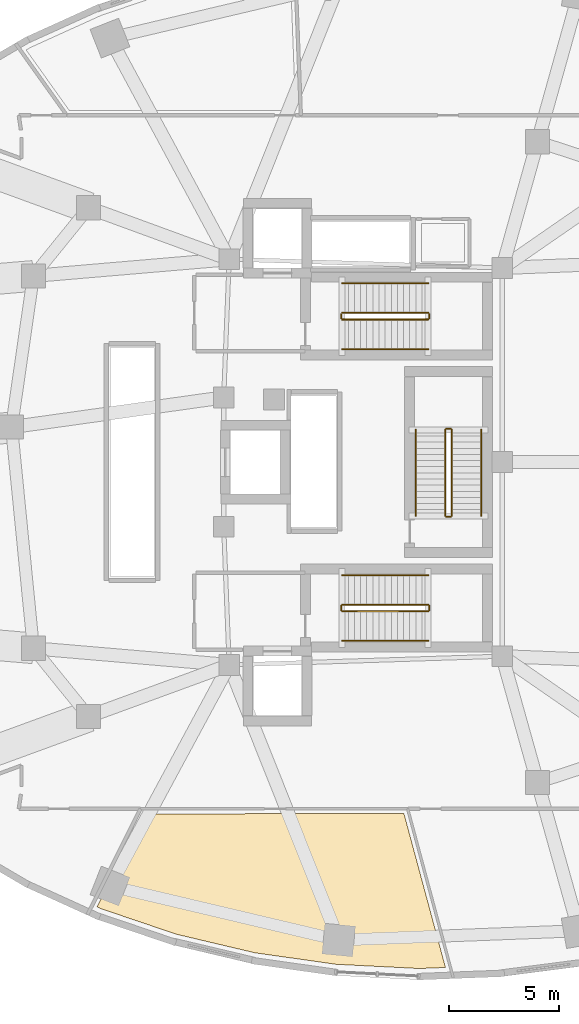
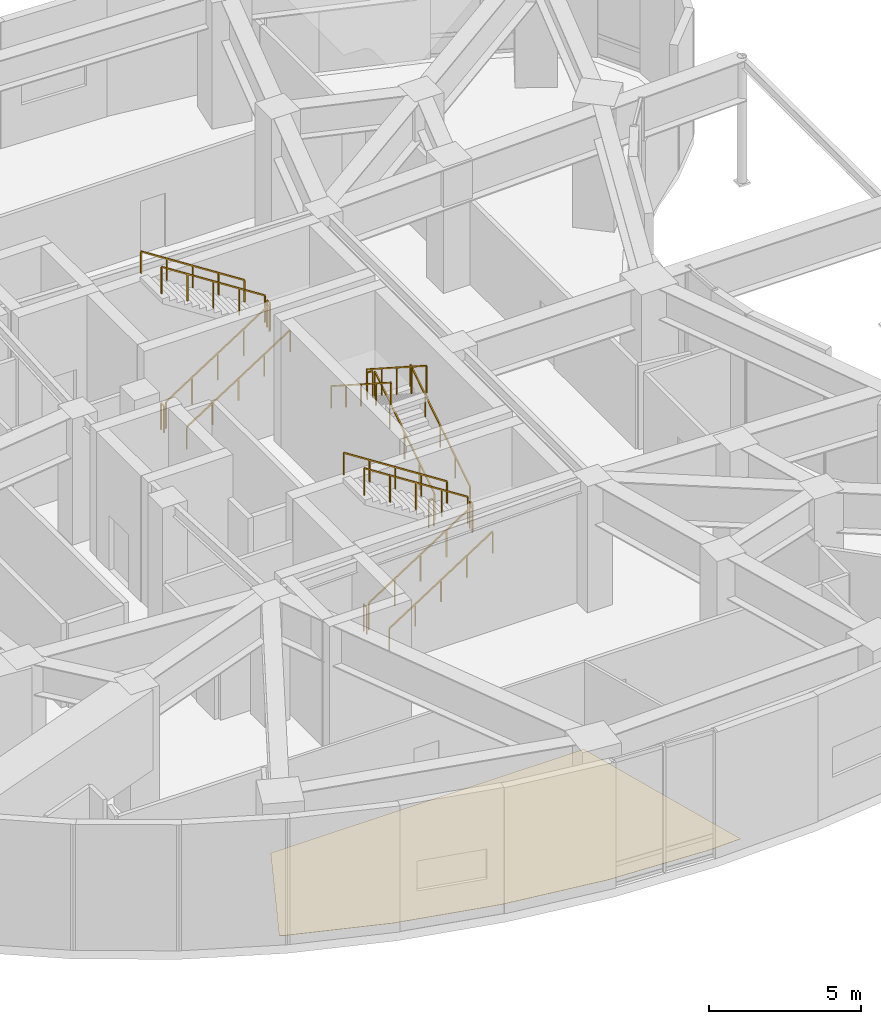
# One storey, part 20 of 23: 18 railings, 1 covering.
"""IFC4 building model written with IfcOpenShell, lengths in metres."""

from ifc_helpers import new_model, si_unit, direction, frame, origin, origin_2d, place, context, subcontext, project, spatial, polyline, rectangle, outline, extrude, material, layer, layer_set, type_object, element, save


model = new_model("IFC4")

# Units and contexts
model_context = context("Model", 3, precision=1e-05, world=origin(), true_north=direction((0.0, 1.0)))
body_context = subcontext(model_context, "Body", "Model", "MODEL_VIEW")
ifc_project = project(units=[si_unit("LENGTHUNIT", "METRE"), si_unit("AREAUNIT", "SQUARE_METRE"), si_unit("VOLUMEUNIT", "CUBIC_METRE"), si_unit("PLANEANGLEUNIT", "RADIAN"), si_unit("MASSUNIT", "GRAM", prefix="KILO")], contexts=[model_context])

# Site, building, storey
site_placement = place(None, origin())
site = spatial("IfcSite", under=ifc_project, at=site_placement, CompositionType="ELEMENT")
building_placement = place(site_placement, origin())
building = spatial("IfcBuilding", under=site, at=building_placement, Name="Korentha Bioscience Tower", CompositionType="ELEMENT")
storey_placement = place(building_placement, frame((0.0, 0.0, 15.0)))
storey = spatial("IfcBuildingStorey", under=building, at=storey_placement, Name="L03", CompositionType="ELEMENT", Elevation=15.0)

# Railings
ifc_material_1 = material(Name="Stainless Steel 304", Category="steel")
railing_type_1 = type_object("IfcRailingType", Name="Brushed Stainless Stair Handrail 900", PredefinedType="HANDRAIL", material=ifc_material_1)
railing_1_placement = place(storey_placement, frame((30.25, 32.14990234375, 0.179931640625)))
element("IfcRailing", 1, at=railing_1_placement, inside=storey, type_object=railing_type_1, Name="L03 ST-1 stair handrail 1", PredefinedType="HANDRAIL", context=body_context, shape_type="SweptSolid", body=[
    extrude(rectangle(XDim=0.048095703125, YDim=0.048095703125, at=origin_2d()), frame((0.0, 0.0, 0.8759765625), z_axis=(0.841171666519, 0.0, 0.540768182723), x_axis=(0.0, 1.0, 0.0)), (0.0, 0.0, 1.0), 4.66015625),
    extrude(rectangle(XDim=0.0419921875, YDim=0.0419921875, at=origin_2d()), origin(), (0.0, 0.0, 1.0), 0.851806640625),
    extrude(rectangle(XDim=0.0419921875, YDim=0.0419921875, at=origin_2d()), frame((0.97998046875, 0.0, 0.6298828125)), (0.0, 0.0, 1.0), 0.851806640625),
    extrude(rectangle(XDim=0.0419921875, YDim=0.0419921875, at=origin_2d()), frame((1.9599609375, 0.0, 1.260009765625)), (0.0, 0.0, 1.0), 0.851806640625),
    extrude(rectangle(XDim=0.0419921875, YDim=0.0419921875, at=origin_2d()), frame((2.93994140625, 0.0, 1.89013671875)), (0.0, 0.0, 1.0), 0.851806640625),
    extrude(rectangle(XDim=0.0419921875, YDim=0.0419921875, at=origin_2d()), frame((3.919921875, 0.0, 2.52001953125)), (0.0, 0.0, 1.0), 0.851806640625),
])
railing_2_placement = place(storey_placement, frame((34.169921875, 35.14990234375, 2.8798828125)))
element("IfcRailing", 2, at=railing_2_placement, inside=storey, type_object=railing_type_1, Name="L03 ST-1 stair handrail 2", PredefinedType="HANDRAIL", context=body_context, shape_type="SweptSolid", body=[
    extrude(rectangle(XDim=0.048095703125, YDim=0.048095703125, at=origin_2d()), frame((0.0, 0.0, 0.8759765625), z_axis=(-0.841171666519, 0.0, 0.540768182723), x_axis=(0.0, -1.0, 0.0)), (0.0, 0.0, 1.0), 4.66015625),
    extrude(rectangle(XDim=0.0419921875, YDim=0.0419921875, at=origin_2d()), origin(), (0.0, 0.0, 1.0), 0.851806640625),
    extrude(rectangle(XDim=0.0419921875, YDim=0.0419921875, at=origin_2d()), frame((-0.97998046875, 0.0, 0.6298828125)), (0.0, 0.0, 1.0), 0.851806640625),
    extrude(rectangle(XDim=0.0419921875, YDim=0.0419921875, at=origin_2d()), frame((-1.9599609375, 0.0, 1.260009765625)), (0.0, 0.0, 1.0), 0.851806640625),
    extrude(rectangle(XDim=0.0419921875, YDim=0.0419921875, at=origin_2d()), frame((-2.93994140625, 0.0, 1.89013671875)), (0.0, 0.0, 1.0), 0.851806640625),
    extrude(rectangle(XDim=0.0419921875, YDim=0.0419921875, at=origin_2d()), frame((-3.919921875, 0.0, 2.52001953125)), (0.0, 0.0, 1.0), 0.851806640625),
])
railing_3_placement = place(storey_placement, frame((30.25, 18.85009765625, 0.179931640625)))
element("IfcRailing", 3, at=railing_3_placement, inside=storey, type_object=railing_type_1, Name="L03 ST-2 stair handrail 1", PredefinedType="HANDRAIL", context=body_context, shape_type="SweptSolid", body=[
    extrude(rectangle(XDim=0.048095703125, YDim=0.048095703125, at=origin_2d()), frame((0.0, 0.0, 0.8759765625), z_axis=(0.841171666519, 0.0, 0.540768182723), x_axis=(0.0, 1.0, 0.0)), (0.0, 0.0, 1.0), 4.66015625),
    extrude(rectangle(XDim=0.0419921875, YDim=0.0419921875, at=origin_2d()), origin(), (0.0, 0.0, 1.0), 0.851806640625),
    extrude(rectangle(XDim=0.0419921875, YDim=0.0419921875, at=origin_2d()), frame((0.97998046875, 0.0, 0.6298828125)), (0.0, 0.0, 1.0), 0.851806640625),
    extrude(rectangle(XDim=0.0419921875, YDim=0.0419921875, at=origin_2d()), frame((1.9599609375, 0.0, 1.260009765625)), (0.0, 0.0, 1.0), 0.851806640625),
    extrude(rectangle(XDim=0.0419921875, YDim=0.0419921875, at=origin_2d()), frame((2.93994140625, 0.0, 1.89013671875)), (0.0, 0.0, 1.0), 0.851806640625),
    extrude(rectangle(XDim=0.0419921875, YDim=0.0419921875, at=origin_2d()), frame((3.919921875, 0.0, 2.52001953125)), (0.0, 0.0, 1.0), 0.851806640625),
])
railing_4_placement = place(storey_placement, frame((34.169921875, 21.85009765625, 2.8798828125)))
element("IfcRailing", 4, at=railing_4_placement, inside=storey, type_object=railing_type_1, Name="L03 ST-2 stair handrail 2", PredefinedType="HANDRAIL", context=body_context, shape_type="SweptSolid", body=[
    extrude(rectangle(XDim=0.048095703125, YDim=0.048095703125, at=origin_2d()), frame((0.0, 0.0, 0.8759765625), z_axis=(-0.841171666519, 0.0, 0.540768182723), x_axis=(0.0, -1.0, 0.0)), (0.0, 0.0, 1.0), 4.66015625),
    extrude(rectangle(XDim=0.0419921875, YDim=0.0419921875, at=origin_2d()), origin(), (0.0, 0.0, 1.0), 0.851806640625),
    extrude(rectangle(XDim=0.0419921875, YDim=0.0419921875, at=origin_2d()), frame((-0.97998046875, 0.0, 0.6298828125)), (0.0, 0.0, 1.0), 0.851806640625),
    extrude(rectangle(XDim=0.0419921875, YDim=0.0419921875, at=origin_2d()), frame((-1.9599609375, 0.0, 1.260009765625)), (0.0, 0.0, 1.0), 0.851806640625),
    extrude(rectangle(XDim=0.0419921875, YDim=0.0419921875, at=origin_2d()), frame((-2.93994140625, 0.0, 1.89013671875)), (0.0, 0.0, 1.0), 0.851806640625),
    extrude(rectangle(XDim=0.0419921875, YDim=0.0419921875, at=origin_2d()), frame((-3.919921875, 0.0, 2.52001953125)), (0.0, 0.0, 1.0), 0.851806640625),
])
railing_5_placement = place(storey_placement, frame((36.60009765625, 24.550048828125, 0.179931640625)))
element("IfcRailing", 5, at=railing_5_placement, inside=storey, type_object=railing_type_1, Name="L03 ST-3 stair handrail 1", PredefinedType="HANDRAIL", context=body_context, shape_type="SweptSolid", body=[
    extrude(rectangle(XDim=0.048095703125, YDim=0.048095703125, at=origin_2d()), frame((0.0, 0.0, 0.8759765625), z_axis=(0.0, 0.841171666519, 0.540768182723), x_axis=(-1.0, 0.0, 0.0)), (0.0, 0.0, 1.0), 4.66015625),
    extrude(rectangle(XDim=0.0419921875, YDim=0.0419921875, at=origin_2d()), origin(), (0.0, 0.0, 1.0), 0.851806640625),
    extrude(rectangle(XDim=0.0419921875, YDim=0.0419921875, at=origin_2d()), frame((0.0, 0.97998046875, 0.6298828125)), (0.0, 0.0, 1.0), 0.851806640625),
    extrude(rectangle(XDim=0.0419921875, YDim=0.0419921875, at=origin_2d()), frame((0.0, 1.9599609375, 1.260009765625)), (0.0, 0.0, 1.0), 0.851806640625),
    extrude(rectangle(XDim=0.0419921875, YDim=0.0419921875, at=origin_2d()), frame((0.0, 2.93994140625, 1.89013671875)), (0.0, 0.0, 1.0), 0.851806640625),
    extrude(rectangle(XDim=0.0419921875, YDim=0.0419921875, at=origin_2d()), frame((0.0, 3.919921875, 2.52001953125)), (0.0, 0.0, 1.0), 0.851806640625),
])
railing_6_placement = place(storey_placement, frame((33.60009765625, 28.469970703125, 2.8798828125)))
element("IfcRailing", 6, at=railing_6_placement, inside=storey, type_object=railing_type_1, Name="L03 ST-3 stair handrail 2", PredefinedType="HANDRAIL", context=body_context, shape_type="SweptSolid", body=[
    extrude(rectangle(XDim=0.048095703125, YDim=0.048095703125, at=origin_2d()), frame((0.0, 0.0, 0.8759765625), z_axis=(0.0, -0.841171666519, 0.540768182723), x_axis=(1.0, 0.0, 0.0)), (0.0, 0.0, 1.0), 4.66015625),
    extrude(rectangle(XDim=0.0419921875, YDim=0.0419921875, at=origin_2d()), origin(), (0.0, 0.0, 1.0), 0.851806640625),
    extrude(rectangle(XDim=0.0419921875, YDim=0.0419921875, at=origin_2d()), frame((0.0, -0.97998046875, 0.6298828125)), (0.0, 0.0, 1.0), 0.851806640625),
    extrude(rectangle(XDim=0.0419921875, YDim=0.0419921875, at=origin_2d()), frame((0.0, -1.9599609375, 1.260009765625)), (0.0, 0.0, 1.0), 0.851806640625),
    extrude(rectangle(XDim=0.0419921875, YDim=0.0419921875, at=origin_2d()), frame((0.0, -2.93994140625, 1.89013671875)), (0.0, 0.0, 1.0), 0.851806640625),
    extrude(rectangle(XDim=0.0419921875, YDim=0.0419921875, at=origin_2d()), frame((0.0, -3.919921875, 2.52001953125)), (0.0, 0.0, 1.0), 0.851806640625),
])
ifc_material_2 = material(Name="Painted Steel S275", Category="steel")
railing_type_2 = type_object("IfcRailingType", Name="Painted Steel Stair Well Guardrail 1100", PredefinedType="GUARDRAIL", material=ifc_material_2)
railing_7_placement = place(storey_placement, frame((30.25, 33.5, 0.179931640625)))
element("IfcRailing", 7, at=railing_7_placement, inside=storey, type_object=railing_type_2, Name="L03 ST-1 stair guard 1", PredefinedType="GUARDRAIL", context=body_context, shape_type="SweptSolid", body=[
    extrude(rectangle(XDim=0.048095703125, YDim=0.048095703125, at=origin_2d()), frame((0.0, 0.0, 1.076171875), z_axis=(0.841171666519, 0.0, 0.540768182723), x_axis=(0.0, 1.0, 0.0)), (0.0, 0.0, 1.0), 4.66015625),
    extrude(rectangle(XDim=0.0419921875, YDim=0.0419921875, at=origin_2d()), origin(), (0.0, 0.0, 1.0), 1.052001953125),
    extrude(rectangle(XDim=0.0419921875, YDim=0.0419921875, at=origin_2d()), frame((0.97998046875, 0.0, 0.6298828125)), (0.0, 0.0, 1.0), 1.052001953125),
    extrude(rectangle(XDim=0.0419921875, YDim=0.0419921875, at=origin_2d()), frame((1.9599609375, 0.0, 1.260009765625)), (0.0, 0.0, 1.0), 1.052001953125),
    extrude(rectangle(XDim=0.0419921875, YDim=0.0419921875, at=origin_2d()), frame((2.93994140625, 0.0, 1.89013671875)), (0.0, 0.0, 1.0), 1.052001953125),
    extrude(rectangle(XDim=0.0419921875, YDim=0.0419921875, at=origin_2d()), frame((3.919921875, 0.0, 2.52001953125)), (0.0, 0.0, 1.0), 1.052001953125),
])
railing_8_placement = place(storey_placement, frame((34.219970703125, 33.550048828125, 2.699951171875)))
element("IfcRailing", 8, at=railing_8_placement, inside=storey, type_object=railing_type_2, Name="L03 ST-1 stair guard 2", PredefinedType="GUARDRAIL", context=body_context, shape_type="SweptSolid", body=[
    extrude(rectangle(XDim=0.048095703125, YDim=0.048095703125, at=origin_2d()), frame((0.0, 0.0, 1.076171875), z_axis=(0.0, 1.0, 0.0), x_axis=(-1.0, 0.0, 0.0)), (0.0, 0.0, 1.0), 0.199951171875),
    extrude(rectangle(XDim=0.0419921875, YDim=0.0419921875, at=origin_2d()), origin(), (0.0, 0.0, 1.0), 1.052001953125),
    extrude(rectangle(XDim=0.0419921875, YDim=0.0419921875, at=origin_2d()), frame((0.0, 0.199951171875, 0.0)), (0.0, 0.0, 1.0), 1.052001953125),
])
railing_9_placement = place(storey_placement, frame((34.169921875, 33.800048828125, 2.8798828125)))
element("IfcRailing", 9, at=railing_9_placement, inside=storey, type_object=railing_type_2, Name="L03 ST-1 stair guard 3", PredefinedType="GUARDRAIL", context=body_context, shape_type="SweptSolid", body=[
    extrude(rectangle(XDim=0.048095703125, YDim=0.048095703125, at=origin_2d()), frame((0.0, 0.0, 1.076171875), z_axis=(-0.841171666519, 0.0, 0.540768182723), x_axis=(0.0, -1.0, 0.0)), (0.0, 0.0, 1.0), 4.66015625),
    extrude(rectangle(XDim=0.0419921875, YDim=0.0419921875, at=origin_2d()), origin(), (0.0, 0.0, 1.0), 1.052001953125),
    extrude(rectangle(XDim=0.0419921875, YDim=0.0419921875, at=origin_2d()), frame((-0.97998046875, 0.0, 0.6298828125)), (0.0, 0.0, 1.0), 1.052001953125),
    extrude(rectangle(XDim=0.0419921875, YDim=0.0419921875, at=origin_2d()), frame((-1.9599609375, 0.0, 1.260009765625)), (0.0, 0.0, 1.0), 1.052001953125),
    extrude(rectangle(XDim=0.0419921875, YDim=0.0419921875, at=origin_2d()), frame((-2.93994140625, 0.0, 1.89013671875)), (0.0, 0.0, 1.0), 1.052001953125),
    extrude(rectangle(XDim=0.0419921875, YDim=0.0419921875, at=origin_2d()), frame((-3.919921875, 0.0, 2.52001953125)), (0.0, 0.0, 1.0), 1.052001953125),
])
railing_10_placement = place(storey_placement, frame((30.199951171875, 33.550048828125, 0.0)))
element("IfcRailing", 10, at=railing_10_placement, inside=storey, type_object=railing_type_2, Name="L03 ST-1 stair guard 4", PredefinedType="GUARDRAIL", context=body_context, shape_type="SweptSolid", body=[
    extrude(rectangle(XDim=0.048095703125, YDim=0.048095703125, at=origin_2d()), frame((0.0, 0.0, 1.076171875), z_axis=(0.0, 1.0, 0.0), x_axis=(-1.0, 0.0, 0.0)), (0.0, 0.0, 1.0), 0.199951171875),
    extrude(rectangle(XDim=0.0419921875, YDim=0.0419921875, at=origin_2d()), origin(), (0.0, 0.0, 1.0), 1.052001953125),
    extrude(rectangle(XDim=0.0419921875, YDim=0.0419921875, at=origin_2d()), frame((0.0, 0.199951171875, 0.0)), (0.0, 0.0, 1.0), 1.052001953125),
])
railing_11_placement = place(storey_placement, frame((30.25, 20.199951171875, 0.179931640625)))
element("IfcRailing", 11, at=railing_11_placement, inside=storey, type_object=railing_type_2, Name="L03 ST-2 stair guard 1", PredefinedType="GUARDRAIL", context=body_context, shape_type="SweptSolid", body=[
    extrude(rectangle(XDim=0.048095703125, YDim=0.048095703125, at=origin_2d()), frame((0.0, 0.0, 1.076171875), z_axis=(0.841171666519, 0.0, 0.540768182723), x_axis=(0.0, 1.0, 0.0)), (0.0, 0.0, 1.0), 4.66015625),
    extrude(rectangle(XDim=0.0419921875, YDim=0.0419921875, at=origin_2d()), origin(), (0.0, 0.0, 1.0), 1.052001953125),
    extrude(rectangle(XDim=0.0419921875, YDim=0.0419921875, at=origin_2d()), frame((0.97998046875, 0.0, 0.6298828125)), (0.0, 0.0, 1.0), 1.052001953125),
    extrude(rectangle(XDim=0.0419921875, YDim=0.0419921875, at=origin_2d()), frame((1.9599609375, 0.0, 1.260009765625)), (0.0, 0.0, 1.0), 1.052001953125),
    extrude(rectangle(XDim=0.0419921875, YDim=0.0419921875, at=origin_2d()), frame((2.93994140625, 0.0, 1.89013671875)), (0.0, 0.0, 1.0), 1.052001953125),
    extrude(rectangle(XDim=0.0419921875, YDim=0.0419921875, at=origin_2d()), frame((3.919921875, 0.0, 2.52001953125)), (0.0, 0.0, 1.0), 1.052001953125),
])
railing_12_placement = place(storey_placement, frame((34.219970703125, 20.25, 2.699951171875)))
element("IfcRailing", 12, at=railing_12_placement, inside=storey, type_object=railing_type_2, Name="L03 ST-2 stair guard 2", PredefinedType="GUARDRAIL", context=body_context, shape_type="SweptSolid", body=[
    extrude(rectangle(XDim=0.048095703125, YDim=0.048095703125, at=origin_2d()), frame((0.0, 0.0, 1.076171875), z_axis=(0.0, 1.0, 0.0), x_axis=(-1.0, 0.0, 0.0)), (0.0, 0.0, 1.0), 0.199951171875),
    extrude(rectangle(XDim=0.0419921875, YDim=0.0419921875, at=origin_2d()), origin(), (0.0, 0.0, 1.0), 1.052001953125),
    extrude(rectangle(XDim=0.0419921875, YDim=0.0419921875, at=origin_2d()), frame((0.0, 0.199951171875, 0.0)), (0.0, 0.0, 1.0), 1.052001953125),
])
railing_13_placement = place(storey_placement, frame((34.169921875, 20.5, 2.8798828125)))
element("IfcRailing", 13, at=railing_13_placement, inside=storey, type_object=railing_type_2, Name="L03 ST-2 stair guard 3", PredefinedType="GUARDRAIL", context=body_context, shape_type="SweptSolid", body=[
    extrude(rectangle(XDim=0.048095703125, YDim=0.048095703125, at=origin_2d()), frame((0.0, 0.0, 1.076171875), z_axis=(-0.841171666519, 0.0, 0.540768182723), x_axis=(0.0, -1.0, 0.0)), (0.0, 0.0, 1.0), 4.66015625),
    extrude(rectangle(XDim=0.0419921875, YDim=0.0419921875, at=origin_2d()), origin(), (0.0, 0.0, 1.0), 1.052001953125),
    extrude(rectangle(XDim=0.0419921875, YDim=0.0419921875, at=origin_2d()), frame((-0.97998046875, 0.0, 0.6298828125)), (0.0, 0.0, 1.0), 1.052001953125),
    extrude(rectangle(XDim=0.0419921875, YDim=0.0419921875, at=origin_2d()), frame((-1.9599609375, 0.0, 1.260009765625)), (0.0, 0.0, 1.0), 1.052001953125),
    extrude(rectangle(XDim=0.0419921875, YDim=0.0419921875, at=origin_2d()), frame((-2.93994140625, 0.0, 1.89013671875)), (0.0, 0.0, 1.0), 1.052001953125),
    extrude(rectangle(XDim=0.0419921875, YDim=0.0419921875, at=origin_2d()), frame((-3.919921875, 0.0, 2.52001953125)), (0.0, 0.0, 1.0), 1.052001953125),
])
railing_14_placement = place(storey_placement, frame((30.199951171875, 20.25, 0.0)))
element("IfcRailing", 14, at=railing_14_placement, inside=storey, type_object=railing_type_2, Name="L03 ST-2 stair guard 4", PredefinedType="GUARDRAIL", context=body_context, shape_type="SweptSolid", body=[
    extrude(rectangle(XDim=0.048095703125, YDim=0.048095703125, at=origin_2d()), frame((0.0, 0.0, 1.076171875), z_axis=(0.0, 1.0, 0.0), x_axis=(-1.0, 0.0, 0.0)), (0.0, 0.0, 1.0), 0.199951171875),
    extrude(rectangle(XDim=0.0419921875, YDim=0.0419921875, at=origin_2d()), origin(), (0.0, 0.0, 1.0), 1.052001953125),
    extrude(rectangle(XDim=0.0419921875, YDim=0.0419921875, at=origin_2d()), frame((0.0, 0.199951171875, 0.0)), (0.0, 0.0, 1.0), 1.052001953125),
])
railing_15_placement = place(storey_placement, frame((35.25, 24.550048828125, 0.179931640625)))
element("IfcRailing", 15, at=railing_15_placement, inside=storey, type_object=railing_type_2, Name="L03 ST-3 stair guard 1", PredefinedType="GUARDRAIL", context=body_context, shape_type="SweptSolid", body=[
    extrude(rectangle(XDim=0.048095703125, YDim=0.048095703125, at=origin_2d()), frame((0.0, 0.0, 1.076171875), z_axis=(0.0, 0.841171666519, 0.540768182723), x_axis=(-1.0, 0.0, 0.0)), (0.0, 0.0, 1.0), 4.66015625),
    extrude(rectangle(XDim=0.0419921875, YDim=0.0419921875, at=origin_2d()), origin(), (0.0, 0.0, 1.0), 1.052001953125),
    extrude(rectangle(XDim=0.0419921875, YDim=0.0419921875, at=origin_2d()), frame((0.0, 0.97998046875, 0.6298828125)), (0.0, 0.0, 1.0), 1.052001953125),
    extrude(rectangle(XDim=0.0419921875, YDim=0.0419921875, at=origin_2d()), frame((0.0, 1.9599609375, 1.260009765625)), (0.0, 0.0, 1.0), 1.052001953125),
    extrude(rectangle(XDim=0.0419921875, YDim=0.0419921875, at=origin_2d()), frame((0.0, 2.93994140625, 1.89013671875)), (0.0, 0.0, 1.0), 1.052001953125),
    extrude(rectangle(XDim=0.0419921875, YDim=0.0419921875, at=origin_2d()), frame((0.0, 3.919921875, 2.52001953125)), (0.0, 0.0, 1.0), 1.052001953125),
])
railing_16_placement = place(storey_placement, frame((35.199951171875, 28.52001953125, 2.699951171875)))
element("IfcRailing", 16, at=railing_16_placement, inside=storey, type_object=railing_type_2, Name="L03 ST-3 stair guard 2", PredefinedType="GUARDRAIL", context=body_context, shape_type="SweptSolid", body=[
    extrude(rectangle(XDim=0.048095703125, YDim=0.048095703125, at=origin_2d()), frame((0.0, 0.0, 1.076171875), z_axis=(-1.0, 0.0, 0.0), x_axis=(0.0, -1.0, 0.0)), (0.0, 0.0, 1.0), 0.199951171875),
    extrude(rectangle(XDim=0.0419921875, YDim=0.0419921875, at=origin_2d()), origin(), (0.0, 0.0, 1.0), 1.052001953125),
    extrude(rectangle(XDim=0.0419921875, YDim=0.0419921875, at=origin_2d()), frame((-0.199951171875, 0.0, 0.0)), (0.0, 0.0, 1.0), 1.052001953125),
])
railing_17_placement = place(storey_placement, frame((34.949951171875, 28.469970703125, 2.8798828125)))
element("IfcRailing", 17, at=railing_17_placement, inside=storey, type_object=railing_type_2, Name="L03 ST-3 stair guard 3", PredefinedType="GUARDRAIL", context=body_context, shape_type="SweptSolid", body=[
    extrude(rectangle(XDim=0.048095703125, YDim=0.048095703125, at=origin_2d()), frame((0.0, 0.0, 1.076171875), z_axis=(0.0, -0.841171666519, 0.540768182723), x_axis=(1.0, 0.0, 0.0)), (0.0, 0.0, 1.0), 4.66015625),
    extrude(rectangle(XDim=0.0419921875, YDim=0.0419921875, at=origin_2d()), origin(), (0.0, 0.0, 1.0), 1.052001953125),
    extrude(rectangle(XDim=0.0419921875, YDim=0.0419921875, at=origin_2d()), frame((0.0, -0.97998046875, 0.6298828125)), (0.0, 0.0, 1.0), 1.052001953125),
    extrude(rectangle(XDim=0.0419921875, YDim=0.0419921875, at=origin_2d()), frame((0.0, -1.9599609375, 1.260009765625)), (0.0, 0.0, 1.0), 1.052001953125),
    extrude(rectangle(XDim=0.0419921875, YDim=0.0419921875, at=origin_2d()), frame((0.0, -2.93994140625, 1.89013671875)), (0.0, 0.0, 1.0), 1.052001953125),
    extrude(rectangle(XDim=0.0419921875, YDim=0.0419921875, at=origin_2d()), frame((0.0, -3.919921875, 2.52001953125)), (0.0, 0.0, 1.0), 1.052001953125),
])
railing_18_placement = place(storey_placement, frame((35.199951171875, 24.5, 0.0)))
element("IfcRailing", 18, at=railing_18_placement, inside=storey, type_object=railing_type_2, Name="L03 ST-3 stair guard 4", PredefinedType="GUARDRAIL", context=body_context, shape_type="SweptSolid", body=[
    extrude(rectangle(XDim=0.048095703125, YDim=0.048095703125, at=origin_2d()), frame((0.0, 0.0, 1.076171875), z_axis=(-1.0, 0.0, 0.0), x_axis=(0.0, -1.0, 0.0)), (0.0, 0.0, 1.0), 0.199951171875),
    extrude(rectangle(XDim=0.0419921875, YDim=0.0419921875, at=origin_2d()), origin(), (0.0, 0.0, 1.0), 1.052001953125),
    extrude(rectangle(XDim=0.0419921875, YDim=0.0419921875, at=origin_2d()), frame((-0.199951171875, 0.0, 0.0)), (0.0, 0.0, 1.0), 1.052001953125),
])

# Covering
ifc_material_3 = material(Name="Chemical-Resistant Epoxy Resin", Category="polymer")
ifc_layer = layer(ifc_material_3, 0.011962890625, Name="Chemical-Resistant Epoxy Resin")
ifc_layer_set = layer_set([ifc_layer], Name="Chemical-Resistant Epoxy Resin (FL-EPX)")
covering_type = type_object("IfcCoveringType", Name="Seamless Epoxy Laboratory Flooring 12", PredefinedType="FLOORING", material=ifc_layer_set)
covering_placement = place(storey_placement, origin())
element("IfcCovering", 19, at=covering_placement, inside=storey, type_object=covering_type, Name="L03 Visiting Scholars' Seminar Suite 02 Floor Finish", PredefinedType="FLOORING", context=body_context, shape_type="SweptSolid", body=[
    extrude(outline(polyline([(22.687255859375, 5.474609375), (19.258544921875, 6.63720703125), (19.07373046875, 6.72119140625), (21.19921875, 10.965576171875), (33.06884765625, 10.969970703125), (34.9609375, 3.9580078125), (33.75634765625, 3.9111328125), (29.98974609375, 4.101318359375), (26.281982421875, 4.625), (22.687255859375, 5.474609375)])), origin(), (0.0, 0.0, 1.0), 0.011962890625),
])

save(model, "model.ifc")
